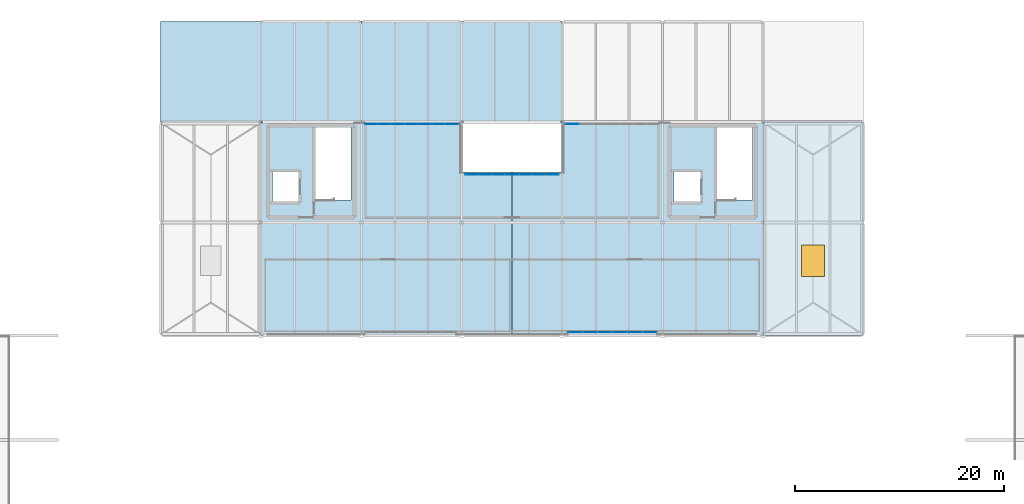
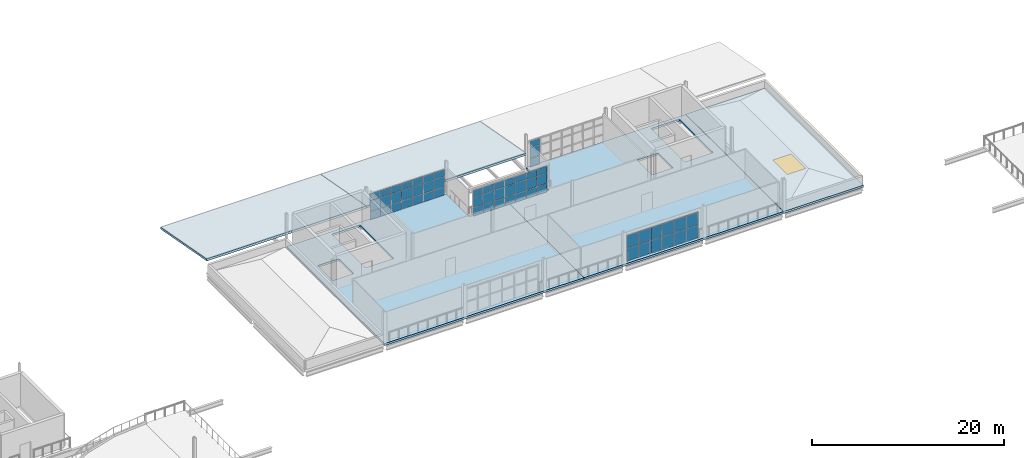
# One storey, part 36 of 58: 57 plates, 5 slabs, 1 window, 1 opening, 4 elements without a shape of their own.
"""IFC4 building model written with IfcOpenShell, lengths in metres."""

from ifc_helpers import new_model, si_unit, direction, frame, origin, origin_2d, place, context, subcontext, project, spatial, polyline, rectangle, outline, extrude, material, layer, layer_set, type_object, element, fill, aggregate, save


model = new_model("IFC4")

# Units and contexts
model_context = context("Model", 3, precision=1e-05, world=origin(), true_north=direction((0.0, 1.0)))
body_context = subcontext(model_context, "Body", "Model", "MODEL_VIEW")
ifc_project = project(units=[si_unit("LENGTHUNIT", "METRE"), si_unit("AREAUNIT", "SQUARE_METRE"), si_unit("VOLUMEUNIT", "CUBIC_METRE"), si_unit("PLANEANGLEUNIT", "RADIAN"), si_unit("MASSUNIT", "GRAM", prefix="KILO")], contexts=[model_context])

# Site, building, storey
site_placement = place(None, origin())
site = spatial("IfcSite", under=ifc_project, at=site_placement, CompositionType="ELEMENT")
building_placement = place(site_placement, origin())
building = spatial("IfcBuilding", under=site, at=building_placement, Name="Yeouljin Market Hall", CompositionType="ELEMENT")
storey_placement = place(building_placement, frame((0.0, 0.0, 10.800048828125)))
storey = spatial("IfcBuildingStorey", under=building, at=storey_placement, Name="L02", CompositionType="ELEMENT", Elevation=10.800048828125)

# Curtain wall, plates
ifc_material_1 = material(Name="Thermally Broken Aluminium", Category="aluminium")
ifc_layer_1 = layer(ifc_material_1, 0.14990234375)
ifc_layer_set_1 = layer_set([ifc_layer_1], Name="Thermally Broken Aluminium")
curtain_wall_type_1 = type_object("IfcCurtainWallType", Name="CW_AcademyRibbon_System", PredefinedType="USERDEFINED", material=ifc_layer_set_1)
curtain_wall_1_placement = place(storey_placement, origin())
curtain_wall_1 = element("IfcCurtainWall", 1, at=curtain_wall_1_placement, inside=storey, type_object=curtain_wall_type_1, Name="Curtain wall CW-L02-W16", ObjectType="CURTAIN WALL", PredefinedType="USERDEFINED")
ifc_material_2 = material(Name="Anodised Bronze Spandrel Panel")
ifc_layer_2 = layer(ifc_material_2, 0.0439453125)
ifc_layer_set_2 = layer_set([ifc_layer_2], Name="Anodised Bronze Spandrel Panel")
plate_type_1 = type_object("IfcPlateType", Name="CWPanel_BronzeSpandrel_44", PredefinedType="CURTAIN_PANEL", material=ifc_layer_set_2)
plate_1_placement = place(storey_placement, frame((84.354736328125, 93.39990234375, 0.0478515625), z_axis=(0.0, 0.0, 1.0), x_axis=(1.0, 0.0, 0.0)))
plate_1 = element("IfcPlate", 2, at=plate_1_placement, type_object=plate_type_1, Name="CW-05 panel 1.1", PredefinedType="CURTAIN_PANEL", context=body_context, shape_type="SweptSolid", body=[
    extrude(rectangle(XDim=1.213623046875, YDim=0.0439453125, at=origin_2d()), origin(), (0.0, 0.0, 1.0), 1.028076171875),
])
plate_2_placement = place(storey_placement, frame((84.354736328125, 93.39990234375, 1.1240234375), z_axis=(0.0, 0.0, 1.0), x_axis=(1.0, 0.0, 0.0)))
plate_2 = element("IfcPlate", 3, at=plate_2_placement, type_object=plate_type_1, Name="CW-05 panel 1.2", PredefinedType="CURTAIN_PANEL", context=body_context, shape_type="SweptSolid", body=[
    extrude(rectangle(XDim=1.213623046875, YDim=0.0439453125, at=origin_2d()), origin(), (0.0, 0.0, 1.0), 1.302001953125),
])
plate_3_placement = place(storey_placement, frame((84.354736328125, 93.39990234375, 2.47412109375), z_axis=(0.0, 0.0, 1.0), x_axis=(1.0, 0.0, 0.0)))
plate_3 = element("IfcPlate", 4, at=plate_3_placement, type_object=plate_type_1, Name="CW-05 panel 1.3", PredefinedType="CURTAIN_PANEL", context=body_context, shape_type="SweptSolid", body=[
    extrude(rectangle(XDim=1.213623046875, YDim=0.0439453125, at=origin_2d()), origin(), (0.0, 0.0, 1.0), 0.827880859375),
])
plate_4_placement = place(storey_placement, frame((85.628662109375, 93.39990234375, 0.0478515625), z_axis=(0.0, 0.0, 1.0), x_axis=(1.0, 0.0, 0.0)))
plate_4 = element("IfcPlate", 5, at=plate_4_placement, type_object=plate_type_1, Name="CW-05 panel 2.1", PredefinedType="CURTAIN_PANEL", context=body_context, shape_type="SweptSolid", body=[
    extrude(rectangle(XDim=1.23779296875, YDim=0.0439453125, at=origin_2d()), origin(), (0.0, 0.0, 1.0), 1.028076171875),
])
plate_5_placement = place(storey_placement, frame((85.628662109375, 93.39990234375, 1.1240234375), z_axis=(0.0, 0.0, 1.0), x_axis=(1.0, 0.0, 0.0)))
plate_5 = element("IfcPlate", 6, at=plate_5_placement, type_object=plate_type_1, Name="CW-05 panel 2.2", PredefinedType="CURTAIN_PANEL", context=body_context, shape_type="SweptSolid", body=[
    extrude(rectangle(XDim=1.23779296875, YDim=0.0439453125, at=origin_2d()), origin(), (0.0, 0.0, 1.0), 1.302001953125),
])
plate_6_placement = place(storey_placement, frame((85.628662109375, 93.39990234375, 2.47412109375), z_axis=(0.0, 0.0, 1.0), x_axis=(1.0, 0.0, 0.0)))
plate_6 = element("IfcPlate", 7, at=plate_6_placement, type_object=plate_type_1, Name="CW-05 panel 2.3", PredefinedType="CURTAIN_PANEL", context=body_context, shape_type="SweptSolid", body=[
    extrude(rectangle(XDim=1.23779296875, YDim=0.0439453125, at=origin_2d()), origin(), (0.0, 0.0, 1.0), 0.827880859375),
])
plate_7_placement = place(storey_placement, frame((86.914306640625, 93.39990234375, 0.0478515625), z_axis=(0.0, 0.0, 1.0), x_axis=(1.0, 0.0, 0.0)))
plate_7 = element("IfcPlate", 8, at=plate_7_placement, type_object=plate_type_1, Name="CW-05 panel 3.1", PredefinedType="CURTAIN_PANEL", context=body_context, shape_type="SweptSolid", body=[
    extrude(rectangle(XDim=1.23779296875, YDim=0.0439453125, at=origin_2d()), origin(), (0.0, 0.0, 1.0), 1.028076171875),
])
plate_8_placement = place(storey_placement, frame((86.914306640625, 93.39990234375, 1.1240234375), z_axis=(0.0, 0.0, 1.0), x_axis=(1.0, 0.0, 0.0)))
plate_8 = element("IfcPlate", 9, at=plate_8_placement, type_object=plate_type_1, Name="CW-05 panel 3.2", PredefinedType="CURTAIN_PANEL", context=body_context, shape_type="SweptSolid", body=[
    extrude(rectangle(XDim=1.23779296875, YDim=0.0439453125, at=origin_2d()), origin(), (0.0, 0.0, 1.0), 1.302001953125),
])
plate_9_placement = place(storey_placement, frame((86.914306640625, 93.39990234375, 2.47412109375), z_axis=(0.0, 0.0, 1.0), x_axis=(1.0, 0.0, 0.0)))
plate_9 = element("IfcPlate", 10, at=plate_9_placement, type_object=plate_type_1, Name="CW-05 panel 3.3", PredefinedType="CURTAIN_PANEL", context=body_context, shape_type="SweptSolid", body=[
    extrude(rectangle(XDim=1.23779296875, YDim=0.0439453125, at=origin_2d()), origin(), (0.0, 0.0, 1.0), 0.827880859375),
])
plate_10_placement = place(storey_placement, frame((88.199951171875, 93.39990234375, 0.0478515625), z_axis=(0.0, 0.0, 1.0), x_axis=(1.0, 0.0, 0.0)))
plate_10 = element("IfcPlate", 11, at=plate_10_placement, type_object=plate_type_1, Name="CW-05 panel 4.1", PredefinedType="CURTAIN_PANEL", context=body_context, shape_type="SweptSolid", body=[
    extrude(rectangle(XDim=1.23779296875, YDim=0.0439453125, at=origin_2d()), origin(), (0.0, 0.0, 1.0), 1.028076171875),
])
plate_11_placement = place(storey_placement, frame((88.199951171875, 93.39990234375, 1.1240234375), z_axis=(0.0, 0.0, 1.0), x_axis=(1.0, 0.0, 0.0)))
plate_11 = element("IfcPlate", 12, at=plate_11_placement, type_object=plate_type_1, Name="CW-05 panel 4.2", PredefinedType="CURTAIN_PANEL", context=body_context, shape_type="SweptSolid", body=[
    extrude(rectangle(XDim=1.23779296875, YDim=0.0439453125, at=origin_2d()), origin(), (0.0, 0.0, 1.0), 1.302001953125),
])
plate_12_placement = place(storey_placement, frame((88.199951171875, 93.39990234375, 2.47412109375), z_axis=(0.0, 0.0, 1.0), x_axis=(1.0, 0.0, 0.0)))
plate_12 = element("IfcPlate", 13, at=plate_12_placement, type_object=plate_type_1, Name="CW-05 panel 4.3", PredefinedType="CURTAIN_PANEL", context=body_context, shape_type="SweptSolid", body=[
    extrude(rectangle(XDim=1.23779296875, YDim=0.0439453125, at=origin_2d()), origin(), (0.0, 0.0, 1.0), 0.827880859375),
])
plate_13_placement = place(storey_placement, frame((89.485595703125, 93.39990234375, 0.0478515625), z_axis=(0.0, 0.0, 1.0), x_axis=(1.0, 0.0, 0.0)))
plate_13 = element("IfcPlate", 14, at=plate_13_placement, type_object=plate_type_1, Name="CW-05 panel 5.1", PredefinedType="CURTAIN_PANEL", context=body_context, shape_type="SweptSolid", body=[
    extrude(rectangle(XDim=1.23779296875, YDim=0.0439453125, at=origin_2d()), origin(), (0.0, 0.0, 1.0), 1.028076171875),
])
plate_14_placement = place(storey_placement, frame((89.485595703125, 93.39990234375, 1.1240234375), z_axis=(0.0, 0.0, 1.0), x_axis=(1.0, 0.0, 0.0)))
plate_14 = element("IfcPlate", 15, at=plate_14_placement, type_object=plate_type_1, Name="CW-05 panel 5.2", PredefinedType="CURTAIN_PANEL", context=body_context, shape_type="SweptSolid", body=[
    extrude(rectangle(XDim=1.23779296875, YDim=0.0439453125, at=origin_2d()), origin(), (0.0, 0.0, 1.0), 1.302001953125),
])
plate_15_placement = place(storey_placement, frame((89.485595703125, 93.39990234375, 2.47412109375), z_axis=(0.0, 0.0, 1.0), x_axis=(1.0, 0.0, 0.0)))
plate_15 = element("IfcPlate", 16, at=plate_15_placement, type_object=plate_type_1, Name="CW-05 panel 5.3", PredefinedType="CURTAIN_PANEL", context=body_context, shape_type="SweptSolid", body=[
    extrude(rectangle(XDim=1.23779296875, YDim=0.0439453125, at=origin_2d()), origin(), (0.0, 0.0, 1.0), 0.827880859375),
])
plate_16_placement = place(storey_placement, frame((90.771484375, 93.39990234375, 0.0478515625), z_axis=(0.0, 0.0, 1.0), x_axis=(1.0, 0.0, 0.0)))
plate_16 = element("IfcPlate", 17, at=plate_16_placement, type_object=plate_type_1, Name="CW-05 panel 6.1", PredefinedType="CURTAIN_PANEL", context=body_context, shape_type="SweptSolid", body=[
    extrude(rectangle(XDim=1.23779296875, YDim=0.0439453125, at=origin_2d()), origin(), (0.0, 0.0, 1.0), 1.028076171875),
])
plate_17_placement = place(storey_placement, frame((90.771484375, 93.39990234375, 1.1240234375), z_axis=(0.0, 0.0, 1.0), x_axis=(1.0, 0.0, 0.0)))
plate_17 = element("IfcPlate", 18, at=plate_17_placement, type_object=plate_type_1, Name="CW-05 panel 6.2", PredefinedType="CURTAIN_PANEL", context=body_context, shape_type="SweptSolid", body=[
    extrude(rectangle(XDim=1.23779296875, YDim=0.0439453125, at=origin_2d()), origin(), (0.0, 0.0, 1.0), 1.302001953125),
])
plate_18_placement = place(storey_placement, frame((90.771484375, 93.39990234375, 2.47412109375), z_axis=(0.0, 0.0, 1.0), x_axis=(1.0, 0.0, 0.0)))
plate_18 = element("IfcPlate", 19, at=plate_18_placement, type_object=plate_type_1, Name="CW-05 panel 6.3", PredefinedType="CURTAIN_PANEL", context=body_context, shape_type="SweptSolid", body=[
    extrude(rectangle(XDim=1.23779296875, YDim=0.0439453125, at=origin_2d()), origin(), (0.0, 0.0, 1.0), 0.827880859375),
])
plate_19_placement = place(storey_placement, frame((92.045166015625, 93.39990234375, 0.0478515625), z_axis=(0.0, 0.0, 1.0), x_axis=(1.0, 0.0, 0.0)))
plate_19 = element("IfcPlate", 20, at=plate_19_placement, type_object=plate_type_1, Name="CW-05 panel 7.1", PredefinedType="CURTAIN_PANEL", context=body_context, shape_type="SweptSolid", body=[
    extrude(rectangle(XDim=1.213623046875, YDim=0.0439453125, at=origin_2d()), origin(), (0.0, 0.0, 1.0), 1.028076171875),
])
plate_20_placement = place(storey_placement, frame((92.045166015625, 93.39990234375, 1.1240234375), z_axis=(0.0, 0.0, 1.0), x_axis=(1.0, 0.0, 0.0)))
plate_20 = element("IfcPlate", 21, at=plate_20_placement, type_object=plate_type_1, Name="CW-05 panel 7.2", PredefinedType="CURTAIN_PANEL", context=body_context, shape_type="SweptSolid", body=[
    extrude(rectangle(XDim=1.213623046875, YDim=0.0439453125, at=origin_2d()), origin(), (0.0, 0.0, 1.0), 1.302001953125),
])
plate_21_placement = place(storey_placement, frame((92.045166015625, 93.39990234375, 2.47412109375), z_axis=(0.0, 0.0, 1.0), x_axis=(1.0, 0.0, 0.0)))
plate_21 = element("IfcPlate", 22, at=plate_21_placement, type_object=plate_type_1, Name="CW-05 panel 7.3", PredefinedType="CURTAIN_PANEL", context=body_context, shape_type="SweptSolid", body=[
    extrude(rectangle(XDim=1.213623046875, YDim=0.0439453125, at=origin_2d()), origin(), (0.0, 0.0, 1.0), 0.827880859375),
])
aggregate(curtain_wall_1, [plate_1, plate_2, plate_3, plate_4, plate_5, plate_6, plate_7, plate_8, plate_9, plate_10, plate_11, plate_12, plate_13, plate_14, plate_15, plate_16, plate_17, plate_18, plate_19, plate_20, plate_21])

curtain_wall_2_placement = place(storey_placement, origin())
curtain_wall_2 = element("IfcCurtainWall", 23, at=curtain_wall_2_placement, inside=storey, type_object=curtain_wall_type_1, Name="Curtain wall CW-L02-W15", ObjectType="CURTAIN WALL", PredefinedType="USERDEFINED")
ifc_material_3 = material(Name="Low-E Insulated Glass", Category="glass")
ifc_layer_3 = layer(ifc_material_3, 0.028076171875)
ifc_layer_set_3 = layer_set([ifc_layer_3], Name="Low-E Insulated Glass")
plate_type_2 = type_object("IfcPlateType", Name="CWPanel_LowE_28", PredefinedType="CURTAIN_PANEL", material=ifc_layer_set_3)
plate_22_placement = place(storey_placement, frame((74.7548828125, 98.199951171875, 0.0478515625), z_axis=(0.0, 0.0, 1.0), x_axis=(1.0, 0.0, 0.0)))
plate_22 = element("IfcPlate", 24, at=plate_22_placement, type_object=plate_type_2, Name="CW-05 panel 1.1", PredefinedType="CURTAIN_PANEL", context=body_context, shape_type="SweptSolid", body=[
    extrude(rectangle(XDim=1.213623046875, YDim=0.028076171875, at=origin_2d()), origin(), (0.0, 0.0, 1.0), 1.028076171875),
])
plate_23_placement = place(storey_placement, frame((74.7548828125, 98.199951171875, 1.1240234375), z_axis=(0.0, 0.0, 1.0), x_axis=(1.0, 0.0, 0.0)))
plate_23 = element("IfcPlate", 25, at=plate_23_placement, type_object=plate_type_2, Name="CW-05 panel 1.2", PredefinedType="CURTAIN_PANEL", context=body_context, shape_type="SweptSolid", body=[
    extrude(rectangle(XDim=1.213623046875, YDim=0.028076171875, at=origin_2d()), origin(), (0.0, 0.0, 1.0), 1.302001953125),
])
plate_24_placement = place(storey_placement, frame((74.7548828125, 98.199951171875, 2.47412109375), z_axis=(0.0, 0.0, 1.0), x_axis=(1.0, 0.0, 0.0)))
plate_24 = element("IfcPlate", 26, at=plate_24_placement, type_object=plate_type_2, Name="CW-05 panel 1.3", PredefinedType="CURTAIN_PANEL", context=body_context, shape_type="SweptSolid", body=[
    extrude(rectangle(XDim=1.213623046875, YDim=0.028076171875, at=origin_2d()), origin(), (0.0, 0.0, 1.0), 0.827880859375),
])
plate_25_placement = place(storey_placement, frame((76.028564453125, 98.199951171875, 0.0478515625), z_axis=(0.0, 0.0, 1.0), x_axis=(1.0, 0.0, 0.0)))
plate_25 = element("IfcPlate", 27, at=plate_25_placement, type_object=plate_type_2, Name="CW-05 panel 2.1", PredefinedType="CURTAIN_PANEL", context=body_context, shape_type="SweptSolid", body=[
    extrude(rectangle(XDim=1.23779296875, YDim=0.028076171875, at=origin_2d()), origin(), (0.0, 0.0, 1.0), 1.028076171875),
])
plate_26_placement = place(storey_placement, frame((76.028564453125, 98.199951171875, 1.1240234375), z_axis=(0.0, 0.0, 1.0), x_axis=(1.0, 0.0, 0.0)))
plate_26 = element("IfcPlate", 28, at=plate_26_placement, type_object=plate_type_2, Name="CW-05 panel 2.2", PredefinedType="CURTAIN_PANEL", context=body_context, shape_type="SweptSolid", body=[
    extrude(rectangle(XDim=1.23779296875, YDim=0.028076171875, at=origin_2d()), origin(), (0.0, 0.0, 1.0), 1.302001953125),
])
plate_27_placement = place(storey_placement, frame((76.028564453125, 98.199951171875, 2.47412109375), z_axis=(0.0, 0.0, 1.0), x_axis=(1.0, 0.0, 0.0)))
plate_27 = element("IfcPlate", 29, at=plate_27_placement, type_object=plate_type_2, Name="CW-05 panel 2.3", PredefinedType="CURTAIN_PANEL", context=body_context, shape_type="SweptSolid", body=[
    extrude(rectangle(XDim=1.23779296875, YDim=0.028076171875, at=origin_2d()), origin(), (0.0, 0.0, 1.0), 0.827880859375),
])
plate_28_placement = place(storey_placement, frame((77.314208984375, 98.199951171875, 0.0478515625), z_axis=(0.0, 0.0, 1.0), x_axis=(1.0, 0.0, 0.0)))
plate_28 = element("IfcPlate", 30, at=plate_28_placement, type_object=plate_type_2, Name="CW-05 panel 3.1", PredefinedType="CURTAIN_PANEL", context=body_context, shape_type="SweptSolid", body=[
    extrude(rectangle(XDim=1.23779296875, YDim=0.028076171875, at=origin_2d()), origin(), (0.0, 0.0, 1.0), 1.028076171875),
])
plate_29_placement = place(storey_placement, frame((77.314208984375, 98.199951171875, 1.1240234375), z_axis=(0.0, 0.0, 1.0), x_axis=(1.0, 0.0, 0.0)))
plate_29 = element("IfcPlate", 31, at=plate_29_placement, type_object=plate_type_2, Name="CW-05 panel 3.2", PredefinedType="CURTAIN_PANEL", context=body_context, shape_type="SweptSolid", body=[
    extrude(rectangle(XDim=1.23779296875, YDim=0.028076171875, at=origin_2d()), origin(), (0.0, 0.0, 1.0), 1.302001953125),
])
plate_30_placement = place(storey_placement, frame((77.314208984375, 98.199951171875, 2.47412109375), z_axis=(0.0, 0.0, 1.0), x_axis=(1.0, 0.0, 0.0)))
plate_30 = element("IfcPlate", 32, at=plate_30_placement, type_object=plate_type_2, Name="CW-05 panel 3.3", PredefinedType="CURTAIN_PANEL", context=body_context, shape_type="SweptSolid", body=[
    extrude(rectangle(XDim=1.23779296875, YDim=0.028076171875, at=origin_2d()), origin(), (0.0, 0.0, 1.0), 0.827880859375),
])
plate_31_placement = place(storey_placement, frame((78.60009765625, 98.199951171875, 0.0478515625), z_axis=(0.0, 0.0, 1.0), x_axis=(1.0, 0.0, 0.0)))
plate_31 = element("IfcPlate", 33, at=plate_31_placement, type_object=plate_type_2, Name="CW-05 panel 4.1", PredefinedType="CURTAIN_PANEL", context=body_context, shape_type="SweptSolid", body=[
    extrude(rectangle(XDim=1.23779296875, YDim=0.028076171875, at=origin_2d()), origin(), (0.0, 0.0, 1.0), 1.028076171875),
])
plate_32_placement = place(storey_placement, frame((78.60009765625, 98.199951171875, 1.1240234375), z_axis=(0.0, 0.0, 1.0), x_axis=(1.0, 0.0, 0.0)))
plate_32 = element("IfcPlate", 34, at=plate_32_placement, type_object=plate_type_2, Name="CW-05 panel 4.2", PredefinedType="CURTAIN_PANEL", context=body_context, shape_type="SweptSolid", body=[
    extrude(rectangle(XDim=1.23779296875, YDim=0.028076171875, at=origin_2d()), origin(), (0.0, 0.0, 1.0), 1.302001953125),
])
plate_33_placement = place(storey_placement, frame((78.60009765625, 98.199951171875, 2.47412109375), z_axis=(0.0, 0.0, 1.0), x_axis=(1.0, 0.0, 0.0)))
plate_33 = element("IfcPlate", 35, at=plate_33_placement, type_object=plate_type_2, Name="CW-05 panel 4.3", PredefinedType="CURTAIN_PANEL", context=body_context, shape_type="SweptSolid", body=[
    extrude(rectangle(XDim=1.23779296875, YDim=0.028076171875, at=origin_2d()), origin(), (0.0, 0.0, 1.0), 0.827880859375),
])
plate_34_placement = place(storey_placement, frame((79.8857421875, 98.199951171875, 0.0478515625), z_axis=(0.0, 0.0, 1.0), x_axis=(1.0, 0.0, 0.0)))
plate_34 = element("IfcPlate", 36, at=plate_34_placement, type_object=plate_type_2, Name="CW-05 panel 5.1", PredefinedType="CURTAIN_PANEL", context=body_context, shape_type="SweptSolid", body=[
    extrude(rectangle(XDim=1.23779296875, YDim=0.028076171875, at=origin_2d()), origin(), (0.0, 0.0, 1.0), 1.028076171875),
])
plate_35_placement = place(storey_placement, frame((79.8857421875, 98.199951171875, 1.1240234375), z_axis=(0.0, 0.0, 1.0), x_axis=(1.0, 0.0, 0.0)))
plate_35 = element("IfcPlate", 37, at=plate_35_placement, type_object=plate_type_2, Name="CW-05 panel 5.2", PredefinedType="CURTAIN_PANEL", context=body_context, shape_type="SweptSolid", body=[
    extrude(rectangle(XDim=1.23779296875, YDim=0.028076171875, at=origin_2d()), origin(), (0.0, 0.0, 1.0), 1.302001953125),
])
plate_36_placement = place(storey_placement, frame((79.8857421875, 98.199951171875, 2.47412109375), z_axis=(0.0, 0.0, 1.0), x_axis=(1.0, 0.0, 0.0)))
plate_36 = element("IfcPlate", 38, at=plate_36_placement, type_object=plate_type_2, Name="CW-05 panel 5.3", PredefinedType="CURTAIN_PANEL", context=body_context, shape_type="SweptSolid", body=[
    extrude(rectangle(XDim=1.23779296875, YDim=0.028076171875, at=origin_2d()), origin(), (0.0, 0.0, 1.0), 0.827880859375),
])
plate_37_placement = place(storey_placement, frame((81.17138671875, 98.199951171875, 0.0478515625), z_axis=(0.0, 0.0, 1.0), x_axis=(1.0, 0.0, 0.0)))
plate_37 = element("IfcPlate", 39, at=plate_37_placement, type_object=plate_type_2, Name="CW-05 panel 6.1", PredefinedType="CURTAIN_PANEL", context=body_context, shape_type="SweptSolid", body=[
    extrude(rectangle(XDim=1.23779296875, YDim=0.028076171875, at=origin_2d()), origin(), (0.0, 0.0, 1.0), 1.028076171875),
])
plate_38_placement = place(storey_placement, frame((81.17138671875, 98.199951171875, 1.1240234375), z_axis=(0.0, 0.0, 1.0), x_axis=(1.0, 0.0, 0.0)))
plate_38 = element("IfcPlate", 40, at=plate_38_placement, type_object=plate_type_2, Name="CW-05 panel 6.2", PredefinedType="CURTAIN_PANEL", context=body_context, shape_type="SweptSolid", body=[
    extrude(rectangle(XDim=1.23779296875, YDim=0.028076171875, at=origin_2d()), origin(), (0.0, 0.0, 1.0), 1.302001953125),
])
plate_39_placement = place(storey_placement, frame((81.17138671875, 98.199951171875, 2.47412109375), z_axis=(0.0, 0.0, 1.0), x_axis=(1.0, 0.0, 0.0)))
plate_39 = element("IfcPlate", 41, at=plate_39_placement, type_object=plate_type_2, Name="CW-05 panel 6.3", PredefinedType="CURTAIN_PANEL", context=body_context, shape_type="SweptSolid", body=[
    extrude(rectangle(XDim=1.23779296875, YDim=0.028076171875, at=origin_2d()), origin(), (0.0, 0.0, 1.0), 0.827880859375),
])
plate_40_placement = place(storey_placement, frame((82.445068359375, 98.199951171875, 0.0478515625), z_axis=(0.0, 0.0, 1.0), x_axis=(1.0, 0.0, 0.0)))
plate_40 = element("IfcPlate", 42, at=plate_40_placement, type_object=plate_type_2, Name="CW-05 panel 7.1", PredefinedType="CURTAIN_PANEL", context=body_context, shape_type="SweptSolid", body=[
    extrude(rectangle(XDim=1.213623046875, YDim=0.028076171875, at=origin_2d()), origin(), (0.0, 0.0, 1.0), 1.028076171875),
])
plate_41_placement = place(storey_placement, frame((82.445068359375, 98.199951171875, 1.1240234375), z_axis=(0.0, 0.0, 1.0), x_axis=(1.0, 0.0, 0.0)))
plate_41 = element("IfcPlate", 43, at=plate_41_placement, type_object=plate_type_2, Name="CW-05 panel 7.2", PredefinedType="CURTAIN_PANEL", context=body_context, shape_type="SweptSolid", body=[
    extrude(rectangle(XDim=1.213623046875, YDim=0.028076171875, at=origin_2d()), origin(), (0.0, 0.0, 1.0), 1.302001953125),
])
plate_42_placement = place(storey_placement, frame((82.445068359375, 98.199951171875, 2.47412109375), z_axis=(0.0, 0.0, 1.0), x_axis=(1.0, 0.0, 0.0)))
plate_42 = element("IfcPlate", 44, at=plate_42_placement, type_object=plate_type_2, Name="CW-05 panel 7.3", PredefinedType="CURTAIN_PANEL", context=body_context, shape_type="SweptSolid", body=[
    extrude(rectangle(XDim=1.213623046875, YDim=0.028076171875, at=origin_2d()), origin(), (0.0, 0.0, 1.0), 0.827880859375),
])
aggregate(curtain_wall_2, [plate_22, plate_23, plate_24, plate_25, plate_26, plate_27, plate_28, plate_29, plate_30, plate_31, plate_32, plate_33, plate_34, plate_35, plate_36, plate_37, plate_38, plate_39, plate_40, plate_41, plate_42])

curtain_wall_3_placement = place(storey_placement, origin())
curtain_wall_3 = element("IfcCurtainWall", 45, at=curtain_wall_3_placement, inside=storey, type_object=curtain_wall_type_1, Name="Curtain wall CW-L02-W17", ObjectType="CURTAIN WALL", PredefinedType="USERDEFINED")
plate_43_placement = place(storey_placement, frame((93.954833984375, 98.199951171875, 0.0478515625), z_axis=(0.0, 0.0, 1.0), x_axis=(1.0, 0.0, 0.0)))
plate_43 = element("IfcPlate", 46, at=plate_43_placement, type_object=plate_type_2, Name="CW-05 panel 1.1", PredefinedType="CURTAIN_PANEL", context=body_context, shape_type="SweptSolid", body=[
    extrude(rectangle(XDim=1.213623046875, YDim=0.028076171875, at=origin_2d()), origin(), (0.0, 0.0, 1.0), 1.028076171875),
])
plate_44_placement = place(storey_placement, frame((93.954833984375, 98.199951171875, 1.1240234375), z_axis=(0.0, 0.0, 1.0), x_axis=(1.0, 0.0, 0.0)))
plate_44 = element("IfcPlate", 47, at=plate_44_placement, type_object=plate_type_2, Name="CW-05 panel 1.2", PredefinedType="CURTAIN_PANEL", context=body_context, shape_type="SweptSolid", body=[
    extrude(rectangle(XDim=1.213623046875, YDim=0.028076171875, at=origin_2d()), origin(), (0.0, 0.0, 1.0), 1.302001953125),
])
plate_45_placement = place(storey_placement, frame((93.954833984375, 98.199951171875, 2.47412109375), z_axis=(0.0, 0.0, 1.0), x_axis=(1.0, 0.0, 0.0)))
plate_45 = element("IfcPlate", 48, at=plate_45_placement, type_object=plate_type_2, Name="CW-05 panel 1.3", PredefinedType="CURTAIN_PANEL", context=body_context, shape_type="SweptSolid", body=[
    extrude(rectangle(XDim=1.213623046875, YDim=0.028076171875, at=origin_2d()), origin(), (0.0, 0.0, 1.0), 0.827880859375),
])
aggregate(curtain_wall_3, [plate_43, plate_44, plate_45])

ifc_material_4 = material(Name="Thermally Broken Aluminium", Category="aluminium")
ifc_layer_4 = layer(ifc_material_4, 0.14990234375)
ifc_layer_set_4 = layer_set([ifc_layer_4], Name="Thermally Broken Aluminium")
curtain_wall_type_2 = type_object("IfcCurtainWallType", Name="CW_WingStorefront_System", PredefinedType="USERDEFINED", material=ifc_layer_set_4)
curtain_wall_4_placement = place(storey_placement, origin())
curtain_wall_4 = element("IfcCurtainWall", 49, at=curtain_wall_4_placement, inside=storey, type_object=curtain_wall_type_2, Name="Curtain wall CW-CRT-L02-26", ObjectType="CURTAIN WALL", PredefinedType="USERDEFINED")
plate_46_placement = place(storey_placement, frame((94.228759765625, 78.300048828125, 0.0478515625), z_axis=(0.0, 0.0, 1.0), x_axis=(1.0, 0.0, 0.0)))
plate_46 = element("IfcPlate", 50, at=plate_46_placement, type_object=plate_type_2, Name="CW-04 panel 1.1", PredefinedType="CURTAIN_PANEL", context=body_context, shape_type="SweptSolid", body=[
    extrude(rectangle(XDim=1.361328125, YDim=0.028076171875, at=origin_2d()), origin(), (0.0, 0.0, 1.0), 1.60302734375),
])
plate_47_placement = place(storey_placement, frame((94.228759765625, 78.300048828125, 1.698974609375), z_axis=(0.0, 0.0, 1.0), x_axis=(1.0, 0.0, 0.0)))
plate_47 = element("IfcPlate", 51, at=plate_47_placement, type_object=plate_type_2, Name="CW-04 panel 1.2", PredefinedType="CURTAIN_PANEL", context=body_context, shape_type="SweptSolid", body=[
    extrude(rectangle(XDim=1.361328125, YDim=0.028076171875, at=origin_2d()), origin(), (0.0, 0.0, 1.0), 1.60302734375),
])
plate_48_placement = place(storey_placement, frame((95.64990234375, 78.300048828125, 0.0478515625), z_axis=(0.0, 0.0, 1.0), x_axis=(1.0, 0.0, 0.0)))
plate_48 = element("IfcPlate", 52, at=plate_48_placement, type_object=plate_type_2, Name="CW-04 panel 2.1", PredefinedType="CURTAIN_PANEL", context=body_context, shape_type="SweptSolid", body=[
    extrude(rectangle(XDim=1.38525390625, YDim=0.028076171875, at=origin_2d()), origin(), (0.0, 0.0, 1.0), 1.60302734375),
])
plate_49_placement = place(storey_placement, frame((95.64990234375, 78.300048828125, 1.698974609375), z_axis=(0.0, 0.0, 1.0), x_axis=(1.0, 0.0, 0.0)))
plate_49 = element("IfcPlate", 53, at=plate_49_placement, type_object=plate_type_2, Name="CW-04 panel 2.2", PredefinedType="CURTAIN_PANEL", context=body_context, shape_type="SweptSolid", body=[
    extrude(rectangle(XDim=1.38525390625, YDim=0.028076171875, at=origin_2d()), origin(), (0.0, 0.0, 1.0), 1.60302734375),
])
plate_50_placement = place(storey_placement, frame((97.083251953125, 78.300048828125, 0.0478515625), z_axis=(0.0, 0.0, 1.0), x_axis=(1.0, 0.0, 0.0)))
plate_50 = element("IfcPlate", 54, at=plate_50_placement, type_object=plate_type_2, Name="CW-04 panel 3.1", PredefinedType="CURTAIN_PANEL", context=body_context, shape_type="SweptSolid", body=[
    extrude(rectangle(XDim=1.38525390625, YDim=0.028076171875, at=origin_2d()), origin(), (0.0, 0.0, 1.0), 1.60302734375),
])
plate_51_placement = place(storey_placement, frame((97.083251953125, 78.300048828125, 1.698974609375), z_axis=(0.0, 0.0, 1.0), x_axis=(1.0, 0.0, 0.0)))
plate_51 = element("IfcPlate", 55, at=plate_51_placement, type_object=plate_type_2, Name="CW-04 panel 3.2", PredefinedType="CURTAIN_PANEL", context=body_context, shape_type="SweptSolid", body=[
    extrude(rectangle(XDim=1.38525390625, YDim=0.028076171875, at=origin_2d()), origin(), (0.0, 0.0, 1.0), 1.60302734375),
])
plate_52_placement = place(storey_placement, frame((98.5166015625, 78.300048828125, 0.0478515625), z_axis=(0.0, 0.0, 1.0), x_axis=(1.0, 0.0, 0.0)))
plate_52 = element("IfcPlate", 56, at=plate_52_placement, type_object=plate_type_2, Name="CW-04 panel 4.1", PredefinedType="CURTAIN_PANEL", context=body_context, shape_type="SweptSolid", body=[
    extrude(rectangle(XDim=1.38525390625, YDim=0.028076171875, at=origin_2d()), origin(), (0.0, 0.0, 1.0), 1.60302734375),
])
plate_53_placement = place(storey_placement, frame((98.5166015625, 78.300048828125, 1.698974609375), z_axis=(0.0, 0.0, 1.0), x_axis=(1.0, 0.0, 0.0)))
plate_53 = element("IfcPlate", 57, at=plate_53_placement, type_object=plate_type_2, Name="CW-04 panel 4.2", PredefinedType="CURTAIN_PANEL", context=body_context, shape_type="SweptSolid", body=[
    extrude(rectangle(XDim=1.38525390625, YDim=0.028076171875, at=origin_2d()), origin(), (0.0, 0.0, 1.0), 1.60302734375),
])
plate_54_placement = place(storey_placement, frame((99.949951171875, 78.300048828125, 0.0478515625), z_axis=(0.0, 0.0, 1.0), x_axis=(1.0, 0.0, 0.0)))
plate_54 = element("IfcPlate", 58, at=plate_54_placement, type_object=plate_type_2, Name="CW-04 panel 5.1", PredefinedType="CURTAIN_PANEL", context=body_context, shape_type="SweptSolid", body=[
    extrude(rectangle(XDim=1.38525390625, YDim=0.028076171875, at=origin_2d()), origin(), (0.0, 0.0, 1.0), 1.60302734375),
])
plate_55_placement = place(storey_placement, frame((99.949951171875, 78.300048828125, 1.698974609375), z_axis=(0.0, 0.0, 1.0), x_axis=(1.0, 0.0, 0.0)))
plate_55 = element("IfcPlate", 59, at=plate_55_placement, type_object=plate_type_2, Name="CW-04 panel 5.2", PredefinedType="CURTAIN_PANEL", context=body_context, shape_type="SweptSolid", body=[
    extrude(rectangle(XDim=1.38525390625, YDim=0.028076171875, at=origin_2d()), origin(), (0.0, 0.0, 1.0), 1.60302734375),
])
plate_56_placement = place(storey_placement, frame((101.371337890625, 78.300048828125, 0.0478515625), z_axis=(0.0, 0.0, 1.0), x_axis=(1.0, 0.0, 0.0)))
plate_56 = element("IfcPlate", 60, at=plate_56_placement, type_object=plate_type_2, Name="CW-04 panel 6.1", PredefinedType="CURTAIN_PANEL", context=body_context, shape_type="SweptSolid", body=[
    extrude(rectangle(XDim=1.361328125, YDim=0.028076171875, at=origin_2d()), origin(), (0.0, 0.0, 1.0), 1.60302734375),
])
plate_57_placement = place(storey_placement, frame((101.371337890625, 78.300048828125, 1.698974609375), z_axis=(0.0, 0.0, 1.0), x_axis=(1.0, 0.0, 0.0)))
plate_57 = element("IfcPlate", 61, at=plate_57_placement, type_object=plate_type_2, Name="CW-04 panel 6.2", PredefinedType="CURTAIN_PANEL", context=body_context, shape_type="SweptSolid", body=[
    extrude(rectangle(XDim=1.361328125, YDim=0.028076171875, at=origin_2d()), origin(), (0.0, 0.0, 1.0), 1.60302734375),
])
aggregate(curtain_wall_4, [plate_46, plate_47, plate_48, plate_49, plate_50, plate_51, plate_52, plate_53, plate_54, plate_55, plate_56, plate_57])

# Slabs
ifc_material_5 = material(Name="Concrete C30/37", Category="concrete")
ifc_layer_5 = layer(ifc_material_5, 0.260009765625)
ifc_layer_set_5 = layer_set([ifc_layer_5], Name="Concrete C30/37")
slab_type_1 = type_object("IfcSlabType", Name="SLB_ROOF_195", PredefinedType="ROOF", material=ifc_layer_set_5)
for number, where, z_axis, x_axis, name in (
    (62, (54.60009765625, 98.39990234375, 1.780029296875), (0.0, 0.182310419234, 0.983241023879), (0.0, 0.983241023879, -0.182310419234), "North cold-store sloped roof deck 1"),
    (63, (73.800048828125, 98.39990234375, 1.780029296875), (0.0, 0.182310419234, 0.983241023879), (0.0, 0.983241023879, -0.182310419234), "North cold-store sloped roof deck 2"),
):
    element("IfcSlab", number, at=place(storey_placement, frame(where, z_axis=z_axis, x_axis=x_axis)), inside=storey, type_object=slab_type_1, Name=name, PredefinedType="ROOF", context=body_context, shape_type="SweptSolid", body=[
        extrude(outline(polyline([(0.0, 0.0), (9.763727736232205, 0.0), (9.763727736232205, -19.199951171875), (0.0, -19.199951171875), (0.0, 0.0)])), origin(), (0.0, 0.0, -1.0), 0.260009765625),
    ])

# Slab, opening, window
ifc_material_6 = material(Name="Concrete C30/37", Category="concrete")
ifc_layer_6 = layer(ifc_material_6, 0.27490234375)
ifc_layer_set_6 = layer_set([ifc_layer_6], Name="Concrete C30/37")
slab_type_2 = type_object("IfcSlabType", Name="SLB_ROOF_210", PredefinedType="ROOF", material=ifc_layer_set_6)
slab_1_placement = place(storey_placement, frame((0.0, 0.0, -0.26513671875)))
slab_1 = element("IfcSlab", 64, at=slab_1_placement, inside=storey, type_object=slab_type_2, Name="Wing structural roof slab RSLB-V4-L02E", PredefinedType="ROOF", context=body_context, shape_type="SweptSolid", body=[
    extrude(outline(polyline([(112.199951171875, 78.0), (121.800048828125, 78.0), (121.800048828125, 98.39990234375), (112.199951171875, 98.39990234375), (112.199951171875, 78.0)])), origin(), (0.0, 0.0, 1.0), 0.275146484375),
])
opening_placement = place(slab_1_placement, frame((117.0, 85.139892578125, 0.0)))
opening = element("IfcOpeningElement", 65, at=opening_placement, cuts=slab_1, Name="Opening SK-04", PredefinedType="OPENING", context=body_context, shape_type="SweptSolid", body=[
    extrude(rectangle(XDim=2.199951171875, YDim=3.0, at=origin_2d()), origin(), (0.0, 0.0, 1.0), 0.275146484375),
])
ifc_material_7 = material(Name="Low-E Insulated Glass", Category="glass")
window_type = type_object("IfcWindowType", Name="Skylight_2200x3000", PartitioningType="SINGLE_PANEL", PredefinedType="SKYLIGHT", material=ifc_material_7)
window_placement = place(opening_placement, frame((0.0, 0.0, 0.22509765625)))
window = element("IfcWindow", 66, at=window_placement, inside=storey, type_object=window_type, Name="Roof skylight 16", OverallHeight=3.0, OverallWidth=2.199951171875, PartitioningType="SINGLE_PANEL", PredefinedType="SKYLIGHT", context=body_context, shape_type="SweptSolid", body=[
    extrude(rectangle(XDim=2.199951171875, YDim=3.0, at=origin_2d()), origin(), (0.0, 0.0, 1.0), 0.050048828125),
])
fill(opening, window)

# Slabs
ifc_material_8 = material(Name="Concrete C30/37", Category="concrete")
ifc_layer_7 = layer(ifc_material_8, 0.2548828125)
ifc_layer_set_7 = layer_set([ifc_layer_7], Name="Concrete C30/37")
slab_type_3 = type_object("IfcSlabType", Name="SLB_WING_210", PredefinedType="FLOOR", material=ifc_layer_set_7)
slab_2_placement = place(storey_placement, frame((0.0, 0.0, -0.255126953125)))
element("IfcSlab", 67, at=slab_2_placement, inside=storey, type_object=slab_type_3, Name="Structural slab SLB-L02-NB1", PredefinedType="FLOOR", context=body_context, shape_type="SweptSolid", body=[
    extrude(outline(polyline([(64.199951171875, 78.0), (88.199951171875, 78.0), (88.199951171875, 93.60009765625), (83.39990234375, 93.60009765625), (83.39990234375, 98.39990234375), (64.199951171875, 98.39990234375), (64.199951171875, 78.0)]), holes=[polyline([(69.39990234375, 90.949951171875), (72.800048828125, 90.949951171875), (72.800048828125, 97.969970703125), (69.39990234375, 97.969970703125), (69.39990234375, 90.949951171875)]), polyline([(65.300048828125, 90.64990234375), (67.800048828125, 90.64990234375), (67.800048828125, 93.75), (65.300048828125, 93.75), (65.300048828125, 90.64990234375)])]), origin(), (0.0, 0.0, 1.0), 0.255126953125),
])
slab_3_placement = place(storey_placement, frame((0.0, 0.0, -0.255126953125)))
element("IfcSlab", 68, at=slab_3_placement, inside=storey, type_object=slab_type_3, Name="Structural slab SLB-L02-NB2", PredefinedType="FLOOR", context=body_context, shape_type="SweptSolid", body=[
    extrude(outline(polyline([(88.199951171875, 78.0), (112.199951171875, 78.0), (112.199951171875, 98.39990234375), (93.0, 98.39990234375), (93.0, 93.60009765625), (88.199951171875, 93.60009765625), (88.199951171875, 78.0)]), holes=[polyline([(107.800048828125, 90.949951171875), (111.199951171875, 90.949951171875), (111.199951171875, 97.969970703125), (107.800048828125, 97.969970703125), (107.800048828125, 90.949951171875)]), polyline([(103.699951171875, 90.64990234375), (106.199951171875, 90.64990234375), (106.199951171875, 93.75), (103.699951171875, 93.75), (103.699951171875, 90.64990234375)])]), origin(), (0.0, 0.0, 1.0), 0.255126953125),
])

save(model, "model.ifc")
